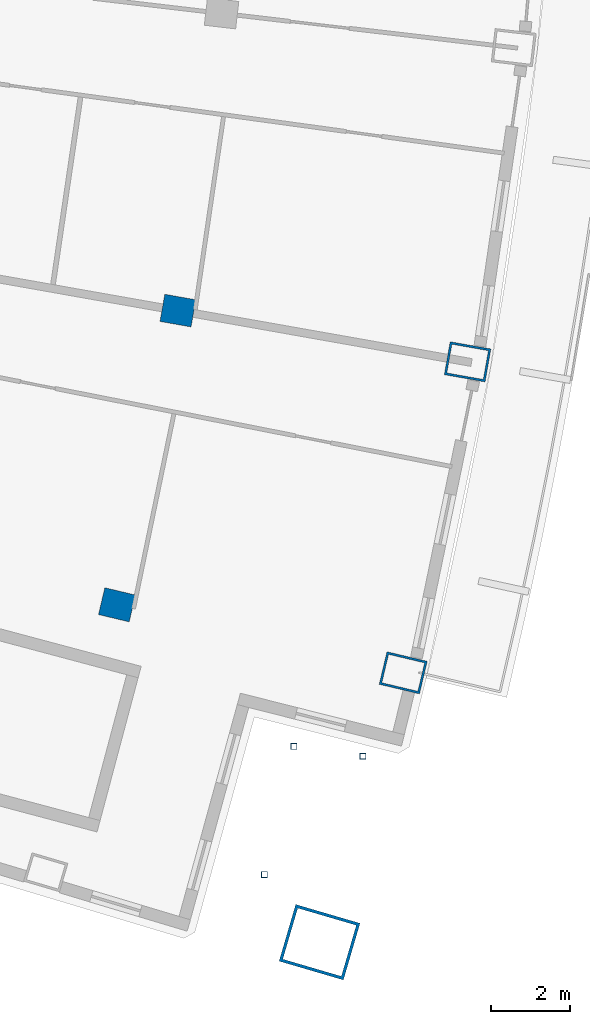
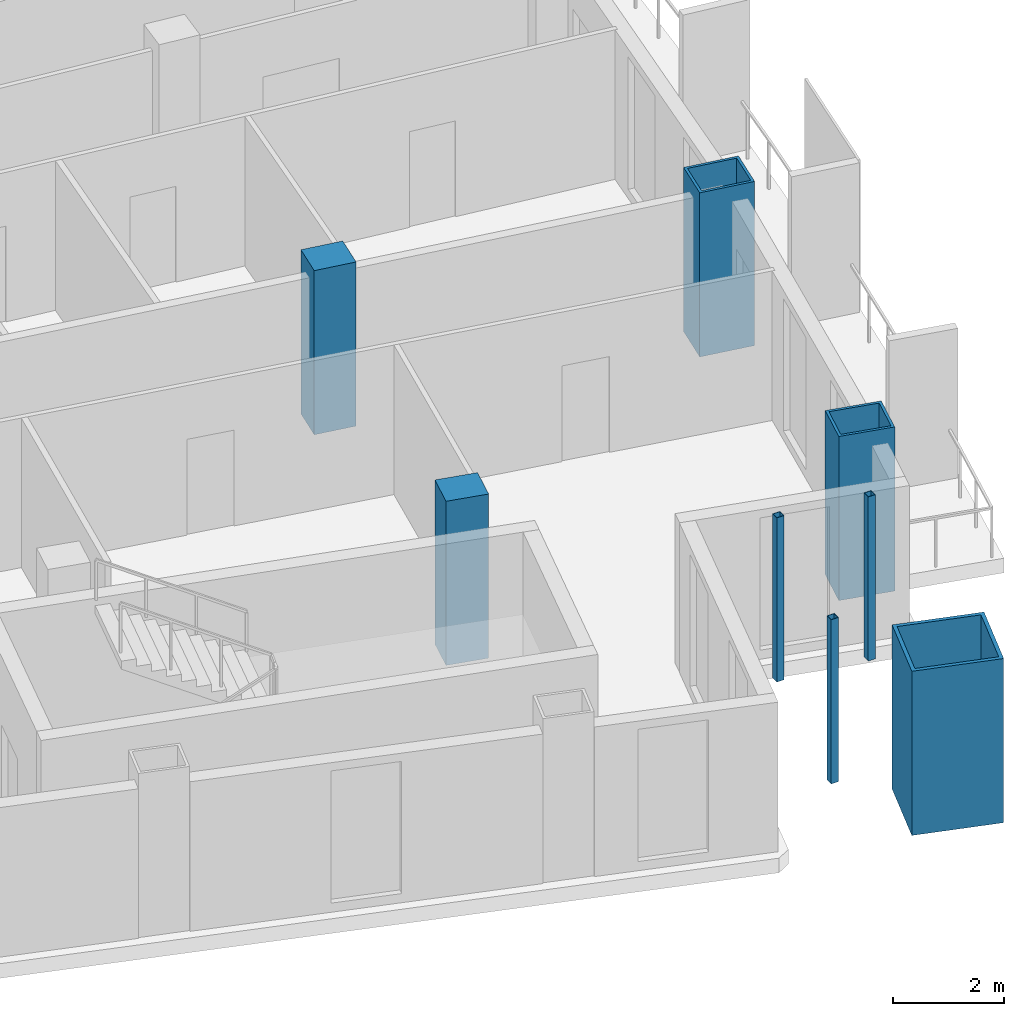
# One storey, part 3 of 19: 8 columns.
"""IFC4 building model written with IfcOpenShell, lengths in metres."""

from ifc_helpers import new_model, si_unit, direction, frame, origin, origin_2d, place, context, subcontext, project, spatial, rectangle, hollow_rectangle, extrude, material, material_profile, profile_set, type_object, element, save


model = new_model("IFC4")

# Units and contexts
model_context = context("Model", 3, precision=1e-05, world=origin(), true_north=direction((0.0, 1.0)))
body_context = subcontext(model_context, "Body", "Model", "MODEL_VIEW")
ifc_project = project(units=[si_unit("LENGTHUNIT", "METRE"), si_unit("AREAUNIT", "SQUARE_METRE"), si_unit("VOLUMEUNIT", "CUBIC_METRE"), si_unit("PLANEANGLEUNIT", "RADIAN"), si_unit("MASSUNIT", "GRAM", prefix="KILO")], contexts=[model_context])

# Site, building, storey
site_placement = place(None, origin())
site = spatial("IfcSite", under=ifc_project, at=site_placement, CompositionType="ELEMENT")
building_placement = place(site_placement, origin())
building = spatial("IfcBuilding", under=site, at=building_placement, Name="Alderwake Tower", CompositionType="ELEMENT")
storey_placement = place(building_placement, frame((0.0, 0.0, 203.60009765625)))
storey = spatial("IfcBuildingStorey", under=building, at=storey_placement, Name="L50", CompositionType="ELEMENT", Elevation=203.60009765625)

# Columns
ifc_material_1 = material(Name="Concrete C70/85", Category="concrete")
ifc_material_profile_1 = material_profile(ifc_material_1, rectangle(XDim=0.699951171875, YDim=0.800048828125, at=origin_2d()), Name="RC 800X700")
ifc_profile_set_1 = profile_set([ifc_material_profile_1], Name="Concrete C70/85")
column_type_1 = type_object("IfcColumnType", Name="Interior column Z4", PredefinedType="COLUMN", material=ifc_profile_set_1)
for number, where, z_axis, x_axis, name in (
    (1, (47.190673828125, 30.771484375, 0.0), (0.0, 0.0, 1.0), (0.231221547198, 0.972901123502, 0.0), "Column R03-C4"),
    (2, (48.736572265625, 38.23828125, 0.0), (0.0, 0.0, 1.0), (0.174107082075, 0.984726725529, 0.0), "Column R04-C4"),
):
    element("IfcColumn", number, at=place(storey_placement, frame(where, z_axis=z_axis, x_axis=x_axis)), inside=storey, type_object=column_type_1, Name=name, PredefinedType="COLUMN", context=body_context, shape_type="SweptSolid", body=[
        extrude(rectangle(XDim=0.699951171875, YDim=0.800048828125, at=origin_2d()), origin(), (0.0, 0.0, 1.0), 3.599853515625),
    ])
ifc_material_2 = material(Name="Steel ASTM A500 Grade C", Category="steel")
ifc_material_profile_2 = material_profile(ifc_material_2, hollow_rectangle(XDim=0.15234375, YDim=0.15234375, WallThickness=0.0087890625, at=origin_2d()), Name="HSS6X6X3/8")
ifc_profile_set_2 = profile_set([ifc_material_profile_2], Name="Steel ASTM A500 Grade C")
column_type_2 = type_object("IfcColumnType", Name="Light post HSS6X6X3/8", PredefinedType="COLUMN", material=ifc_profile_set_2)
for number, where, z_axis, x_axis, name in (
    (3, (53.4326171875, 26.925537109375, 0.0), (0.0, 0.0, 1.0), (1.0, 0.0, 0.0), "Terrace post FS1"),
    (4, (50.9326171875, 23.925537109375, 0.0), (0.0, 0.0, 1.0), (1.0, 0.0, 0.0), "Terrace post FS2"),
    (5, (51.6826171875, 27.175537109375, 0.0), (0.0, 0.0, 1.0), (1.0, 0.0, 0.0), "Terrace post FS3"),
):
    element("IfcColumn", number, at=place(storey_placement, frame(where, z_axis=z_axis, x_axis=x_axis)), inside=storey, type_object=column_type_2, Name=name, PredefinedType="COLUMN", context=body_context, shape_type="SweptSolid", body=[
        extrude(hollow_rectangle(XDim=0.15234375, YDim=0.15234375, WallThickness=0.0087890625, at=origin_2d()), origin(), (0.0, 0.0, 1.0), 3.599853515625),
    ])
ifc_material_3 = material(Name="Steel ASTM A572 Grade 50 concrete filled C70/85", Category="concrete")
ifc_material_profile_3 = material_profile(ifc_material_3, hollow_rectangle(XDim=1.5, YDim=1.699951171875, WallThickness=0.074951171875, at=origin_2d()), Name="BOX 1700X1500X75")
ifc_profile_set_3 = profile_set([ifc_material_profile_3], Name="Steel ASTM A572 Grade 50 concrete filled C70/85")
column_type_3 = type_object("IfcColumnType", Name="Mega column Z4", PredefinedType="COLUMN", material=ifc_profile_set_3)
column_placement = place(storey_placement, frame((52.331298828125, 22.2080078125, 0.0), z_axis=(0.0, 0.0, 1.0), x_axis=(0.281304888972, 0.959618444717, 0.0)))
element("IfcColumn", 6, at=column_placement, inside=storey, type_object=column_type_3, Name="Column R02-C5", PredefinedType="COLUMN", context=body_context, shape_type="SweptSolid", body=[
    extrude(hollow_rectangle(XDim=1.5, YDim=1.699951171875, WallThickness=0.074951171875, at=origin_2d()), origin(), (0.0, 0.0, 1.0), 3.599853515625),
])
ifc_material_4 = material(Name="Steel ASTM A572 Grade 50 concrete filled C70/85", Category="concrete")
ifc_material_profile_4 = material_profile(ifc_material_4, hollow_rectangle(XDim=0.85009765625, YDim=1.050048828125, WallThickness=0.054931640625, at=origin_2d()), Name="BOX 1050X850X55")
ifc_profile_set_4 = profile_set([ifc_material_profile_4], Name="Steel ASTM A572 Grade 50 concrete filled C70/85")
column_type_4 = type_object("IfcColumnType", Name="Perimeter column Z4", PredefinedType="COLUMN", material=ifc_profile_set_4)
for number, where, z_axis, x_axis, name in (
    (7, (54.454833984375, 29.045166015625, 0.0), (0.0, 0.0, 1.0), (0.231221547198, 0.972901123502, 0.0), "Column R03-C5"),
    (8, (56.089111328125, 36.938232421875, 0.0), (0.0, 0.0, 1.0), (0.174107082075, 0.984726725529, 0.0), "Column R04-C5"),
):
    element("IfcColumn", number, at=place(storey_placement, frame(where, z_axis=z_axis, x_axis=x_axis)), inside=storey, type_object=column_type_4, Name=name, PredefinedType="COLUMN", context=body_context, shape_type="SweptSolid", body=[
        extrude(hollow_rectangle(XDim=0.85009765625, YDim=1.050048828125, WallThickness=0.054931640625, at=origin_2d()), origin(), (0.0, 0.0, 1.0), 3.599853515625),
    ])

save(model, "model.ifc")
